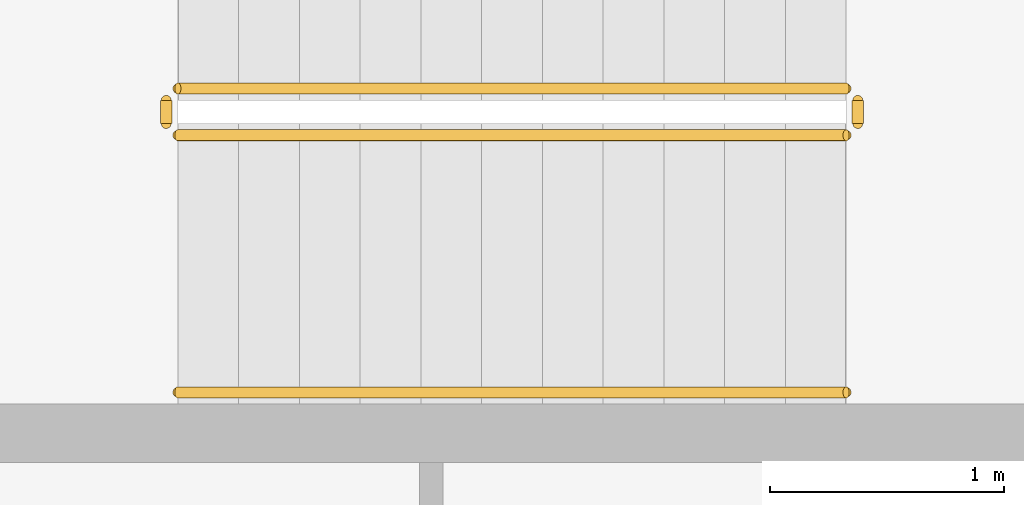
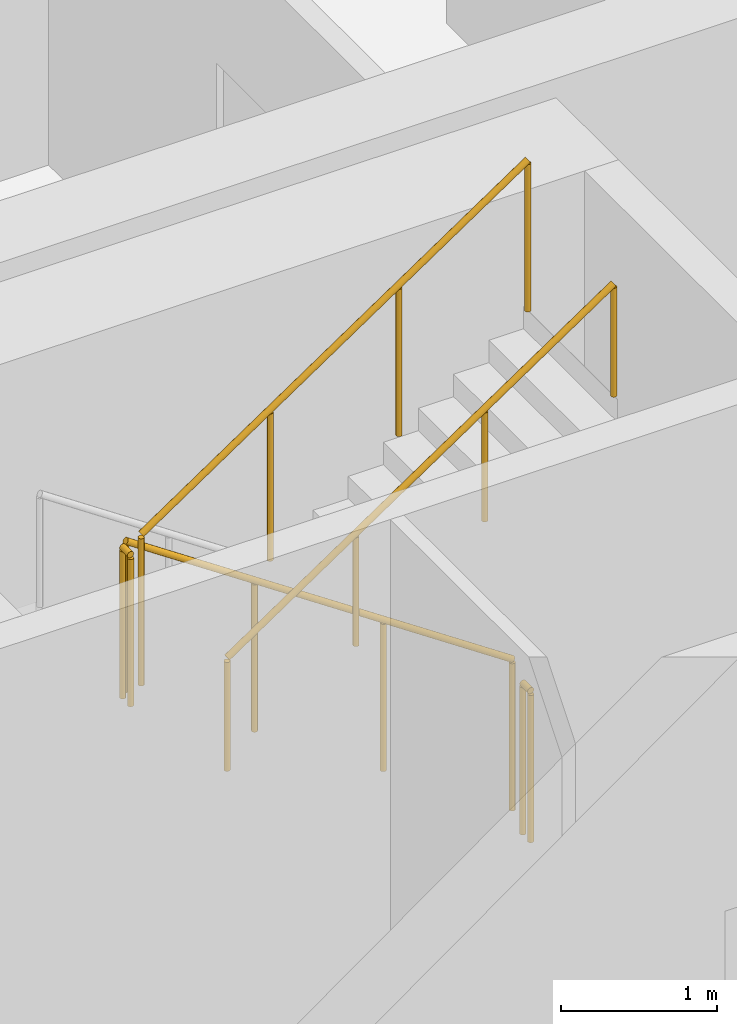
# One storey, part 23 of 25: 5 railings.
"""IFC4 building model written with IfcOpenShell, lengths in metres."""

from ifc_helpers import new_model, si_unit, direction, frame, origin, origin_2d, place, context, subcontext, project, spatial, circle, extrude, material, type_object, element, save


model = new_model("IFC4")

# Units and contexts
model_context = context("Model", 3, precision=1e-05, world=origin(), true_north=direction((0.0, 1.0)))
body_context = subcontext(model_context, "Body", "Model", "MODEL_VIEW")
ifc_project = project(units=[si_unit("LENGTHUNIT", "METRE"), si_unit("AREAUNIT", "SQUARE_METRE"), si_unit("VOLUMEUNIT", "CUBIC_METRE"), si_unit("PLANEANGLEUNIT", "RADIAN"), si_unit("MASSUNIT", "GRAM", prefix="KILO")], contexts=[model_context])

# Site, building, storey
site_placement = place(None, origin())
site = spatial("IfcSite", under=ifc_project, at=site_placement, CompositionType="ELEMENT")
building_placement = place(site_placement, origin())
building = spatial("IfcBuilding", under=site, at=building_placement, Name="Sahrelin Media Tower", CompositionType="ELEMENT")
storey_placement = place(building_placement, frame((0.0, 0.0, 63.0)))
storey = spatial("IfcBuildingStorey", under=building, at=storey_placement, Name="L10", CompositionType="ELEMENT", Elevation=63.0)

# Railings
ifc_material = material(Name="Steel S355", Category="steel")
railing_type_1 = type_object("IfcRailingType", Name="Stair guard 1200", PredefinedType="GUARDRAIL", material=ifc_material)
railing_1_placement = place(storey_placement, frame((7.675048828125, 5.449951171875, 0.175048828125)))
element("IfcRailing", 1, at=railing_1_placement, inside=storey, type_object=railing_type_1, Name="L10 ST3 stair guard 1", PredefinedType="GUARDRAIL", context=body_context, shape_type="SweptSolid", body=[
    extrude(circle(Radius=0.02392578125, at=origin_2d()), frame((0.0, 0.0, 1.17578125), z_axis=(-0.829590901723, 0.0, 0.558371682465), x_axis=(0.0, -1.0, 0.0)), (0.0, 0.0, 1.0), 3.447509765625),
    extrude(circle(Radius=0.02099609375, at=origin_2d()), origin(), (0.0, 0.0, 1.0), 1.15185546875),
    extrude(circle(Radius=0.02099609375, at=origin_2d()), frame((-0.953369140625, 0.0, 0.6416015625)), (0.0, 0.0, 1.0), 1.15185546875),
    extrude(circle(Radius=0.02099609375, at=origin_2d()), frame((-1.90673828125, 0.0, 1.283447265625)), (0.0, 0.0, 1.0), 1.15185546875),
    extrude(circle(Radius=0.02099609375, at=origin_2d()), frame((-2.860107421875, 0.0, 1.925048828125)), (0.0, 0.0, 1.0), 1.15185546875),
])
railing_2_placement = place(storey_placement, frame((4.764892578125, 5.39990234375, 2.10009765625)))
element("IfcRailing", 2, at=railing_2_placement, inside=storey, type_object=railing_type_1, Name="L10 ST3 stair guard 2", PredefinedType="GUARDRAIL", context=body_context, shape_type="SweptSolid", body=[
    extrude(circle(Radius=0.02392578125, at=origin_2d()), frame((0.0, 0.0, 1.17578125), z_axis=(0.0, -1.0, 0.0), x_axis=(1.0, 0.0, 0.0)), (0.0, 0.0, 1.0), 0.099853515625),
    extrude(circle(Radius=0.02099609375, at=origin_2d()), origin(), (0.0, 0.0, 1.0), 1.15185546875),
    extrude(circle(Radius=0.02099609375, at=origin_2d()), frame((0.0, -0.099853515625, 0.0)), (0.0, 0.0, 1.0), 1.15185546875),
])
railing_3_placement = place(storey_placement, frame((4.81494140625, 5.25, 2.27490234375)))
element("IfcRailing", 3, at=railing_3_placement, inside=storey, type_object=railing_type_1, Name="L10 ST3 stair guard 3", PredefinedType="GUARDRAIL", context=body_context, shape_type="SweptSolid", body=[
    extrude(circle(Radius=0.02392578125, at=origin_2d()), frame((0.0, 0.0, 1.17578125), z_axis=(0.829590901723, 0.0, 0.558371682465), x_axis=(0.0, 1.0, 0.0)), (0.0, 0.0, 1.0), 3.447509765625),
    extrude(circle(Radius=0.02099609375, at=origin_2d()), origin(), (0.0, 0.0, 1.0), 1.15185546875),
    extrude(circle(Radius=0.02099609375, at=origin_2d()), frame((0.953369140625, 0.0, 0.6416015625)), (0.0, 0.0, 1.0), 1.15185546875),
    extrude(circle(Radius=0.02099609375, at=origin_2d()), frame((1.90673828125, 0.0, 1.283447265625)), (0.0, 0.0, 1.0), 1.15185546875),
    extrude(circle(Radius=0.02099609375, at=origin_2d()), frame((2.860107421875, 0.0, 1.925048828125)), (0.0, 0.0, 1.0), 1.15185546875),
])
railing_4_placement = place(storey_placement, frame((7.72509765625, 5.39990234375, 0.0)))
element("IfcRailing", 4, at=railing_4_placement, inside=storey, type_object=railing_type_1, Name="L10 ST3 stair guard 4", PredefinedType="GUARDRAIL", context=body_context, shape_type="SweptSolid", body=[
    extrude(circle(Radius=0.02392578125, at=origin_2d()), frame((0.0, 0.0, 1.17578125), z_axis=(0.0, -1.0, 0.0), x_axis=(1.0, 0.0, 0.0)), (0.0, 0.0, 1.0), 0.099853515625),
    extrude(circle(Radius=0.02099609375, at=origin_2d()), origin(), (0.0, 0.0, 1.0), 1.15185546875),
    extrude(circle(Radius=0.02099609375, at=origin_2d()), frame((0.0, -0.099853515625, 0.0)), (0.0, 0.0, 1.0), 1.15185546875),
])
railing_type_2 = type_object("IfcRailingType", Name="Stair handrail 900", PredefinedType="HANDRAIL", material=ifc_material)
railing_5_placement = place(storey_placement, frame((4.81494140625, 4.14990234375, 2.27490234375)))
element("IfcRailing", 5, at=railing_5_placement, inside=storey, type_object=railing_type_2, Name="L10 ST3 stair handrail 2", PredefinedType="HANDRAIL", context=body_context, shape_type="SweptSolid", body=[
    extrude(circle(Radius=0.02392578125, at=origin_2d()), frame((0.0, 0.0, 0.8759765625), z_axis=(0.829590901723, 0.0, 0.558371682465), x_axis=(0.0, 1.0, 0.0)), (0.0, 0.0, 1.0), 3.447509765625),
    extrude(circle(Radius=0.02099609375, at=origin_2d()), origin(), (0.0, 0.0, 1.0), 0.851806640625),
    extrude(circle(Radius=0.02099609375, at=origin_2d()), frame((0.953369140625, 0.0, 0.6416015625)), (0.0, 0.0, 1.0), 0.851806640625),
    extrude(circle(Radius=0.02099609375, at=origin_2d()), frame((1.90673828125, 0.0, 1.283447265625)), (0.0, 0.0, 1.0), 0.851806640625),
    extrude(circle(Radius=0.02099609375, at=origin_2d()), frame((2.860107421875, 0.0, 1.925048828125)), (0.0, 0.0, 1.0), 0.851806640625),
])

save(model, "model.ifc")
